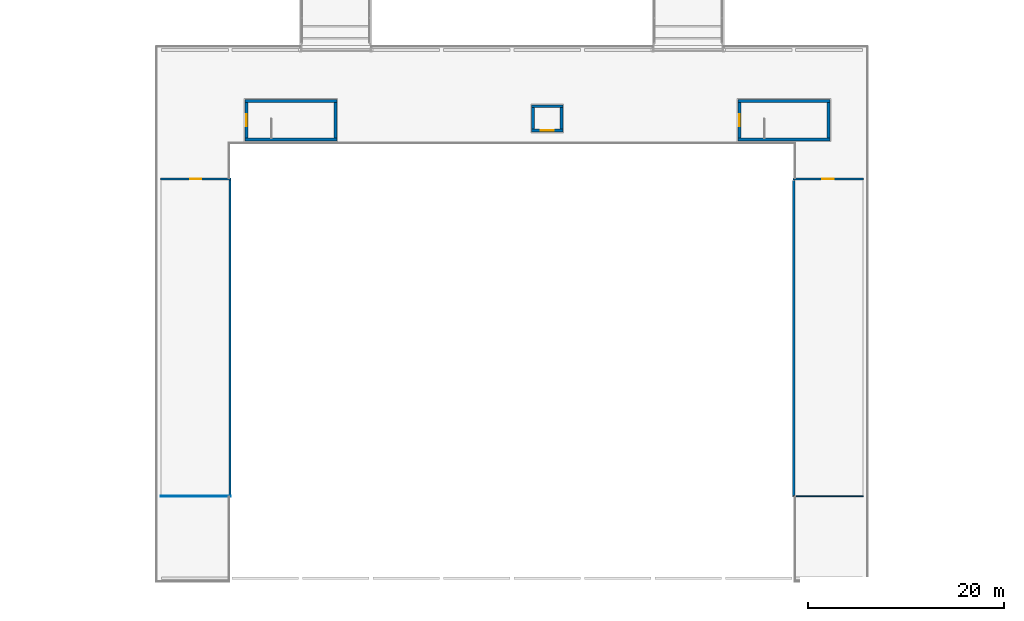
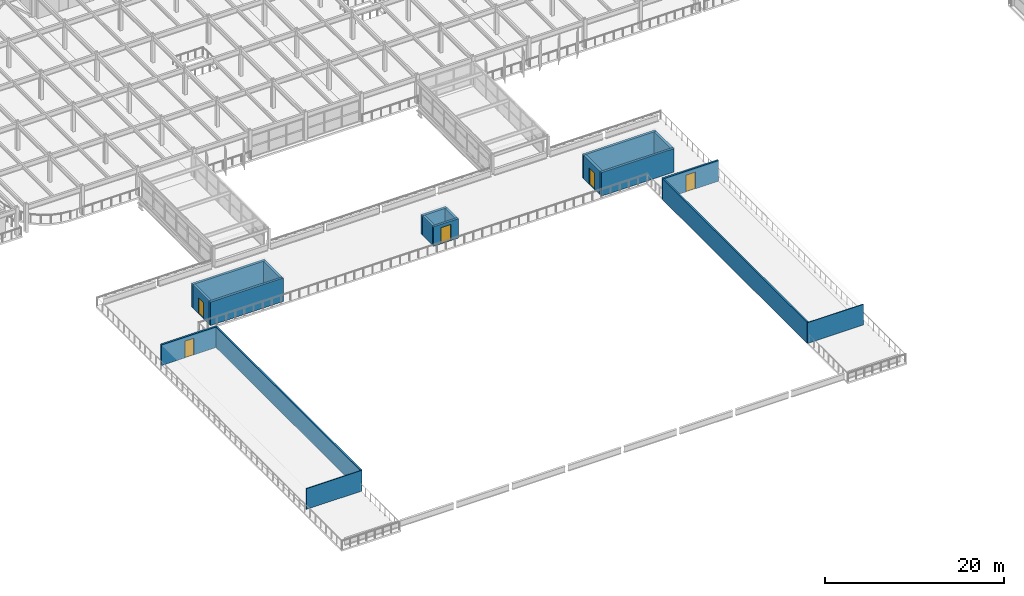
# One storey, part 64 of 93: 18 walls, 5 doors, 5 openings.
"""IFC4 building model written with IfcOpenShell, lengths in metres."""

from ifc_helpers import new_model, si_unit, direction, frame, frame_2d, origin, place, context, subcontext, project, spatial, rectangle, extrude, material, layer, layer_set, type_object, element, fill, save


model = new_model("IFC4")

# Units and contexts
model_context = context("Model", 3, precision=1e-05, world=origin(), true_north=direction((0.0, 1.0)))
body_context = subcontext(model_context, "Body", "Model", "MODEL_VIEW")
ifc_project = project(units=[si_unit("LENGTHUNIT", "METRE"), si_unit("AREAUNIT", "SQUARE_METRE"), si_unit("VOLUMEUNIT", "CUBIC_METRE"), si_unit("PLANEANGLEUNIT", "RADIAN"), si_unit("MASSUNIT", "GRAM", prefix="KILO")], contexts=[model_context])

# Site, building, storey
site_placement = place(None, origin())
site = spatial("IfcSite", under=ifc_project, at=site_placement, CompositionType="ELEMENT")
building_placement = place(site_placement, origin())
building = spatial("IfcBuilding", under=site, at=building_placement, Name="Vaelcorin Mobility Hub", CompositionType="ELEMENT")
storey_placement = place(building_placement, frame((0.0, 0.0, 5.39990234375)))
storey = spatial("IfcBuildingStorey", under=building, at=storey_placement, Name="L01", CompositionType="ELEMENT", Elevation=5.39990234375)

# Walls
ifc_material_1 = material(Name="Reinforced concrete f'c 45 MPa", Category="concrete")
ifc_layer_1 = layer(ifc_material_1, 0.300048828125)
ifc_layer_set_1 = layer_set([ifc_layer_1], Name="Reinforced concrete f'c 45 MPa")
wall_type_1 = type_object("IfcWallType", Name="WL-CORE-300", PredefinedType="SOLIDWALL", material=ifc_layer_set_1)
for number, where, z_axis, x_axis, name in (
    (1, (54.10009765625, 50.85009765625, 0.0), (0.0, 0.0, 1.0), (-1.0, 0.0, 0.0), "ST7 Fire Core Wall L01 South"),
    (2, (44.699951171875, 54.7900390625, 0.0), (0.0, 0.0, 1.0), (1.0, 0.0, 0.0), "ST7 Fire Core Wall L01 North"),
):
    element("IfcWall", number, at=place(storey_placement, frame(where, z_axis=z_axis, x_axis=x_axis)), inside=storey, type_object=wall_type_1, Name=name, PredefinedType="SOLIDWALL", context=body_context, shape_type="SweptSolid", body=[
        extrude(rectangle(XDim=9.400146484375, YDim=0.300048828125, at=frame_2d((4.7001953125, 0.0))), origin(), (0.0, 0.0, 1.0), 3.2001953125),
    ])

# Wall, opening, door
wall_1_placement = place(storey_placement, frame((44.85009765625, 51.0, 0.0), z_axis=(0.0, 0.0, 1.0), x_axis=(0.0, 1.0, 0.0)))
wall_1 = element("IfcWall", 3, at=wall_1_placement, inside=storey, type_object=wall_type_1, Name="ST7 Fire Core Wall L01 West", PredefinedType="SOLIDWALL", context=body_context, shape_type="SweptSolid", body=[
    extrude(rectangle(XDim=3.639892578125, YDim=0.300048828125, at=frame_2d((1.81982421875, 0.0))), origin(), (0.0, 0.0, 1.0), 3.2001953125),
])
opening_1_placement = place(wall_1_placement, frame((1.219970703125, 0.0, 0.0)))
opening_1 = element("IfcOpeningElement", 4, at=opening_1_placement, cuts=wall_1, Name="Opening SD01", PredefinedType="OPENING", context=body_context, shape_type="SweptSolid", body=[
    extrude(rectangle(XDim=1.199951171875, YDim=2.199951171875, at=frame_2d((0.60009765625, 1.10009765625))), frame((0.0, 0.159912109375, 0.0), z_axis=(0.0, -1.0, 0.0), x_axis=(1.0, 0.0, 0.0)), (0.0, 0.0, 1.0), 0.320068359375),
])
ifc_material_2 = material(Name="Hollow-metal insulated steel fire door", Category="steel")
door_type_1 = type_object("IfcDoorType", Name="DR-STAIR-90", OperationType="NOTDEFINED", PredefinedType="DOOR", material=ifc_material_2)
door_1_placement = place(opening_1_placement, origin())
door_1 = element("IfcDoor", 5, at=door_1_placement, inside=storey, type_object=door_type_1, Name="ST7 Protected Stair Door L01", OperationType="SINGLE_SWING_LEFT", OverallHeight=2.199951171875, OverallWidth=1.199951171875, PredefinedType="DOOR", context=body_context, shape_type="SweptSolid", body=[
    extrude(rectangle(XDim=1.199951171875, YDim=2.199951171875, at=frame_2d((0.60009765625, 1.10009765625))), frame((0.0, 0.02490234375, 0.0), z_axis=(0.0, -1.0, 0.0), x_axis=(1.0, 0.0, 0.0)), (0.0, 0.0, 1.0), 0.050048828125),
])
fill(opening_1, door_1)

# Walls
wall_2_placement = place(storey_placement, frame((53.949951171875, 54.639892578125, 0.0), z_axis=(0.0, 0.0, 1.0), x_axis=(0.0, -1.0, 0.0)))
element("IfcWall", 6, at=wall_2_placement, inside=storey, type_object=wall_type_1, Name="ST7 Fire Core Wall L01 East", PredefinedType="SOLIDWALL", context=body_context, shape_type="SweptSolid", body=[
    extrude(rectangle(XDim=3.639892578125, YDim=0.300048828125, at=frame_2d((1.81982421875, 0.0))), origin(), (0.0, 0.0, 1.0), 3.2001953125),
])
for number, where, z_axis, x_axis, name in (
    (7, (104.5, 50.85009765625, 0.0), (0.0, 0.0, 1.0), (-1.0, 0.0, 0.0), "ST8 Fire Core Wall L01 South"),
    (8, (95.10009765625, 54.7900390625, 0.0), (0.0, 0.0, 1.0), (1.0, 0.0, 0.0), "ST8 Fire Core Wall L01 North"),
):
    element("IfcWall", number, at=place(storey_placement, frame(where, z_axis=z_axis, x_axis=x_axis)), inside=storey, type_object=wall_type_1, Name=name, PredefinedType="SOLIDWALL", context=body_context, shape_type="SweptSolid", body=[
        extrude(rectangle(XDim=9.39990234375, YDim=0.300048828125, at=frame_2d((4.699951171875, 0.0))), origin(), (0.0, 0.0, 1.0), 3.2001953125),
    ])

# Wall, opening, door
wall_3_placement = place(storey_placement, frame((95.25, 51.0, 0.0), z_axis=(0.0, 0.0, 1.0), x_axis=(0.0, 1.0, 0.0)))
wall_3 = element("IfcWall", 9, at=wall_3_placement, inside=storey, type_object=wall_type_1, Name="ST8 Fire Core Wall L01 West", PredefinedType="SOLIDWALL", context=body_context, shape_type="SweptSolid", body=[
    extrude(rectangle(XDim=3.639892578125, YDim=0.300048828125, at=frame_2d((1.81982421875, 0.0))), origin(), (0.0, 0.0, 1.0), 3.2001953125),
])
opening_2_placement = place(wall_3_placement, frame((1.219970703125, 0.0, 0.0)))
opening_2 = element("IfcOpeningElement", 10, at=opening_2_placement, cuts=wall_3, Name="Opening SD01", PredefinedType="OPENING", context=body_context, shape_type="SweptSolid", body=[
    extrude(rectangle(XDim=1.199951171875, YDim=2.199951171875, at=frame_2d((0.60009765625, 1.10009765625))), frame((0.0, 0.159912109375, 0.0), z_axis=(0.0, -1.0, 0.0), x_axis=(1.0, 0.0, 0.0)), (0.0, 0.0, 1.0), 0.320068359375),
])
door_2_placement = place(opening_2_placement, origin())
door_2 = element("IfcDoor", 11, at=door_2_placement, inside=storey, type_object=door_type_1, Name="ST8 Protected Stair Door L01", OperationType="SINGLE_SWING_RIGHT", OverallHeight=2.199951171875, OverallWidth=1.199951171875, PredefinedType="DOOR", context=body_context, shape_type="SweptSolid", body=[
    extrude(rectangle(XDim=1.199951171875, YDim=2.199951171875, at=frame_2d((0.60009765625, 1.10009765625))), frame((0.0, 0.02490234375, 0.0), z_axis=(0.0, -1.0, 0.0), x_axis=(1.0, 0.0, 0.0)), (0.0, 0.0, 1.0), 0.050048828125),
])
fill(opening_2, door_2)

# Walls
wall_4_placement = place(storey_placement, frame((104.35009765625, 54.639892578125, 0.0), z_axis=(0.0, 0.0, 1.0), x_axis=(0.0, -1.0, 0.0)))
element("IfcWall", 12, at=wall_4_placement, inside=storey, type_object=wall_type_1, Name="ST8 Fire Core Wall L01 East", PredefinedType="SOLIDWALL", context=body_context, shape_type="SweptSolid", body=[
    extrude(rectangle(XDim=3.639892578125, YDim=0.300048828125, at=frame_2d((1.81982421875, 0.0))), origin(), (0.0, 0.0, 1.0), 3.2001953125),
])
ifc_material_3 = material(Name="Fire-rated acoustic steel-stud gypsum board", Category="steel")
ifc_layer_2 = layer(ifc_material_3, 0.10009765625)
ifc_layer_set_2 = layer_set([ifc_layer_2], Name="Fire-rated acoustic steel-stud gypsum board")
wall_type_2 = type_object("IfcWallType", Name="WL-PART-100", PredefinedType="PARTITIONING", material=ifc_layer_set_2)
wall_5_placement = place(storey_placement, frame((43.280029296875, 14.39990234375, 0.0), z_axis=(0.0, 0.0, 1.0), x_axis=(-1.0, 0.0, 0.0)))
element("IfcWall", 13, at=wall_5_placement, inside=storey, type_object=wall_type_2, Name="West Executive Passenger Lounge Partition South", PredefinedType="PARTITIONING", context=body_context, shape_type="SweptSolid", body=[
    extrude(rectangle(XDim=7.197998046875, YDim=0.10009765625, at=frame_2d((3.59912109375, 0.0))), origin(), (0.0, 0.0, 1.0), 2.830078125),
])
ifc_layer_3 = layer(ifc_material_3, 0.10498046875)
ifc_layer_set_3 = layer_set([ifc_layer_3], Name="Fire-rated acoustic steel-stud gypsum board")
wall_type_3 = type_object("IfcWallType", Name="WL-PART-105", PredefinedType="PARTITIONING", material=ifc_layer_set_3)
wall_6_placement = place(storey_placement, frame((107.91796875, 14.39990234375, 0.0), z_axis=(0.0, 0.0, 1.0), x_axis=(-1.0, 0.0, 0.0)))
element("IfcWall", 14, at=wall_6_placement, inside=storey, type_object=wall_type_3, Name="Concourse Overlook Espresso Bar Partition South", PredefinedType="PARTITIONING", context=body_context, shape_type="SweptSolid", body=[
    extrude(rectangle(XDim=7.197998046875, YDim=0.10498046875, at=frame_2d((3.59912109375, 0.0))), origin(), (0.0, 0.0, 1.0), 2.830078125),
])
ifc_material_4 = material(Name="Reinforced acoustic concrete masonry C30/37", Category="masonry")
ifc_layer_4 = layer(ifc_material_4, 0.205078125)
ifc_layer_set_4 = layer_set([ifc_layer_4], Name="Reinforced acoustic concrete masonry C30/37")
wall_type_4 = type_object("IfcWallType", Name="WL-PART-205", PredefinedType="PARTITIONING", material=ifc_layer_set_4)
wall_7_placement = place(storey_placement, frame((43.199951171875, 46.68603515625, 0.0), z_axis=(0.0, 0.0, 1.0), x_axis=(0.0, -1.0, 0.0)))
element("IfcWall", 15, at=wall_7_placement, inside=storey, type_object=wall_type_4, Name="West Executive Passenger Lounge Partition East", PredefinedType="PARTITIONING", context=body_context, shape_type="SweptSolid", body=[
    extrude(rectangle(XDim=32.234130859375, YDim=0.205078125, at=frame_2d((16.1171875, 0.0))), origin(), (0.0, 0.0, 1.0), 2.830078125),
])
ifc_layer_5 = layer(ifc_material_4, 0.2119140625)
ifc_layer_set_5 = layer_set([ifc_layer_5], Name="Reinforced acoustic concrete masonry C30/37")
wall_type_5 = type_object("IfcWallType", Name="WL-PART-212", PredefinedType="PARTITIONING", material=ifc_layer_set_5)
wall_8_placement = place(storey_placement, frame((100.800048828125, 14.455078125, 0.0), z_axis=(0.0, 0.0, 1.0), x_axis=(0.0, 1.0, 0.0)))
element("IfcWall", 16, at=wall_8_placement, inside=storey, type_object=wall_type_5, Name="Concourse Overlook Espresso Bar Partition West", PredefinedType="PARTITIONING", context=body_context, shape_type="SweptSolid", body=[
    extrude(rectangle(XDim=32.224853515625, YDim=0.2119140625, at=frame_2d((16.1123046875, 0.0))), origin(), (0.0, 0.0, 1.0), 2.830078125),
])

# Wall, opening, door
ifc_layer_6 = layer(ifc_material_4, 0.22509765625)
ifc_layer_set_6 = layer_set([ifc_layer_6], Name="Reinforced acoustic concrete masonry C30/37")
wall_type_6 = type_object("IfcWallType", Name="WL-PART-225", PredefinedType="PARTITIONING", material=ifc_layer_set_6)
wall_9_placement = place(storey_placement, frame((36.08203125, 46.800048828125, 0.0), z_axis=(0.0, 0.0, 1.0), x_axis=(1.0, 0.0, 0.0)))
wall_9 = element("IfcWall", 17, at=wall_9_placement, inside=storey, type_object=wall_type_6, Name="West Executive Passenger Lounge Partition North", PredefinedType="PARTITIONING", context=body_context, shape_type="SweptSolid", body=[
    extrude(rectangle(XDim=7.197998046875, YDim=0.22509765625, at=frame_2d((3.59912109375, 0.0))), origin(), (0.0, 0.0, 1.0), 2.830078125),
])
opening_3_placement = place(wall_9_placement, frame((3.049072265625, 0.0, 0.0)))
opening_3 = element("IfcOpeningElement", 18, at=opening_3_placement, cuts=wall_9, Name="Opening ID36", PredefinedType="OPENING", context=body_context, shape_type="SweptSolid", body=[
    extrude(rectangle(XDim=1.10009765625, YDim=2.280029296875, at=frame_2d((0.550048828125, 1.14013671875))), frame((0.0, 0.12255859375, 0.0), z_axis=(0.0, -1.0, 0.0), x_axis=(1.0, 0.0, 0.0)), (0.0, 0.0, 1.0), 0.2451171875),
])
ifc_material_5 = material(Name="Solid-core hardwood fire door assembly", Category="wood")
door_type_2 = type_object("IfcDoorType", Name="DR-INT-36", OperationType="NOTDEFINED", PredefinedType="DOOR", material=ifc_material_5)
door_3_placement = place(opening_3_placement, origin())
door_3 = element("IfcDoor", 19, at=door_3_placement, inside=storey, type_object=door_type_2, Name="West Executive Passenger Lounge Door", OperationType="SINGLE_SWING_RIGHT", OverallHeight=2.280029296875, OverallWidth=1.10009765625, PredefinedType="DOOR", context=body_context, shape_type="SweptSolid", body=[
    extrude(rectangle(XDim=1.10009765625, YDim=2.280029296875, at=frame_2d((0.550048828125, 1.14013671875))), frame((0.0, 0.02490234375, 0.0), z_axis=(0.0, -1.0, 0.0), x_axis=(1.0, 0.0, 0.0)), (0.0, 0.0, 1.0), 0.050048828125),
])
fill(opening_3, door_3)

ifc_layer_7 = layer(ifc_material_4, 0.235107421875)
ifc_layer_set_7 = layer_set([ifc_layer_7], Name="Reinforced acoustic concrete masonry C30/37")
wall_type_7 = type_object("IfcWallType", Name="WL-PART-235", PredefinedType="PARTITIONING", material=ifc_layer_set_7)
wall_10_placement = place(storey_placement, frame((100.719970703125, 46.800048828125, 0.0), z_axis=(0.0, 0.0, 1.0), x_axis=(1.0, 0.0, 0.0)))
wall_10 = element("IfcWall", 20, at=wall_10_placement, inside=storey, type_object=wall_type_7, Name="Concourse Overlook Espresso Bar Partition North", PredefinedType="PARTITIONING", context=body_context, shape_type="SweptSolid", body=[
    extrude(rectangle(XDim=7.197998046875, YDim=0.235107421875, at=frame_2d((3.59912109375, 0.0))), origin(), (0.0, 0.0, 1.0), 2.830078125),
])
opening_4_placement = place(wall_10_placement, frame((3.009033203125, 0.0, 0.0)))
opening_4 = element("IfcOpeningElement", 21, at=opening_4_placement, cuts=wall_10, Name="Opening ID37", PredefinedType="OPENING", context=body_context, shape_type="SweptSolid", body=[
    extrude(rectangle(XDim=1.179931640625, YDim=2.280029296875, at=frame_2d((0.58984375, 1.14013671875))), frame((0.0, 0.12744140625, 0.0), z_axis=(0.0, -1.0, 0.0), x_axis=(1.0, 0.0, 0.0)), (0.0, 0.0, 1.0), 0.255126953125),
])
door_type_3 = type_object("IfcDoorType", Name="DR-INT-37", OperationType="NOTDEFINED", PredefinedType="DOOR", material=ifc_material_5)
door_4_placement = place(opening_4_placement, origin())
door_4 = element("IfcDoor", 22, at=door_4_placement, inside=storey, type_object=door_type_3, Name="Concourse Overlook Espresso Bar Door", OperationType="SINGLE_SWING_LEFT", OverallHeight=2.280029296875, OverallWidth=1.179931640625, PredefinedType="DOOR", context=body_context, shape_type="SweptSolid", body=[
    extrude(rectangle(XDim=1.179931640625, YDim=2.280029296875, at=frame_2d((0.58984375, 1.14013671875))), frame((0.0, 0.02490234375, 0.0), z_axis=(0.0, -1.0, 0.0), x_axis=(1.0, 0.0, 0.0)), (0.0, 0.0, 1.0), 0.050048828125),
])
fill(opening_4, door_4)

ifc_layer_8 = layer(ifc_material_1, 0.2900390625)
ifc_layer_set_8 = layer_set([ifc_layer_8], Name="Reinforced concrete f'c 45 MPa")
wall_type_8 = type_object("IfcWallType", Name="WL-SHEAR-290", PredefinedType="SHEAR", material=ifc_layer_set_8)
wall_11_placement = place(storey_placement, frame((77.18994140625, 51.7548828125, 0.0), z_axis=(0.0, 0.0, 1.0), x_axis=(-1.0, 0.0, 0.0)))
wall_11 = element("IfcWall", 23, at=wall_11_placement, inside=storey, type_object=wall_type_8, Name="LF3 Lift Shaft Shear Wall L01 South", PredefinedType="SHEAR", context=body_context, shape_type="SweptSolid", body=[
    extrude(rectangle(XDim=3.179931640625, YDim=0.2900390625, at=frame_2d((1.58984375, 0.0))), origin(), (0.0, 0.0, 1.0), 2.650146484375),
])
opening_5_placement = place(wall_11_placement, frame((0.93994140625, 0.0, 0.0)))
opening_5 = element("IfcOpeningElement", 24, at=opening_5_placement, cuts=wall_11, Name="Opening LD2", PredefinedType="OPENING", context=body_context, shape_type="SweptSolid", body=[
    extrude(rectangle(XDim=1.300048828125, YDim=2.199951171875, at=frame_2d((0.64990234375, 1.10009765625))), frame((0.0, 0.155029296875, 0.0), z_axis=(0.0, -1.0, 0.0), x_axis=(1.0, 0.0, 0.0)), (0.0, 0.0, 1.0), 0.31005859375),
])
ifc_material_6 = material(Name="Brushed stainless steel 316L", Category="steel")
door_type_4 = type_object("IfcDoorType", Name="DR-LIFT-LD2", OperationType="NOTDEFINED", PredefinedType="DOOR", material=ifc_material_6)
door_5_placement = place(opening_5_placement, origin())
door_5 = element("IfcDoor", 25, at=door_5_placement, inside=storey, type_object=door_type_4, Name="LF3 Lift Landing Sliding Door L01", OperationType="DOUBLE_DOOR_SLIDING", OverallHeight=2.199951171875, OverallWidth=1.300048828125, PredefinedType="DOOR", context=body_context, shape_type="SweptSolid", body=[
    extrude(rectangle(XDim=1.300048828125, YDim=2.199951171875, at=frame_2d((0.64990234375, 1.10009765625))), frame((0.0, 0.02490234375, 0.0), z_axis=(0.0, -1.0, 0.0), x_axis=(1.0, 0.0, 0.0)), (0.0, 0.0, 1.0), 0.050048828125),
])
fill(opening_5, door_5)

# Walls
wall_12_placement = place(storey_placement, frame((74.010009765625, 54.2451171875, 0.0), z_axis=(0.0, 0.0, 1.0), x_axis=(1.0, 0.0, 0.0)))
element("IfcWall", 26, at=wall_12_placement, inside=storey, type_object=wall_type_8, Name="LF3 Lift Shaft Shear Wall L01 North", PredefinedType="SHEAR", context=body_context, shape_type="SweptSolid", body=[
    extrude(rectangle(XDim=3.179931640625, YDim=0.2900390625, at=frame_2d((1.58984375, 0.0))), origin(), (0.0, 0.0, 1.0), 2.650146484375),
])
for number, where, z_axis, x_axis, name in (
    (27, (74.155029296875, 51.89990234375, 0.0), (0.0, 0.0, 1.0), (0.0, 1.0, 0.0), "LF3 Lift Shaft Shear Wall L01 West"),
    (28, (77.044921875, 54.10009765625, 0.0), (0.0, 0.0, 1.0), (0.0, -1.0, 0.0), "LF3 Lift Shaft Shear Wall L01 East"),
):
    element("IfcWall", number, at=place(storey_placement, frame(where, z_axis=z_axis, x_axis=x_axis)), inside=storey, type_object=wall_type_8, Name=name, PredefinedType="SHEAR", context=body_context, shape_type="SweptSolid", body=[
        extrude(rectangle(XDim=2.2001953125, YDim=0.2900390625, at=frame_2d((1.10009765625, 0.0))), origin(), (0.0, 0.0, 1.0), 2.650146484375),
    ])

save(model, "model.ifc")
